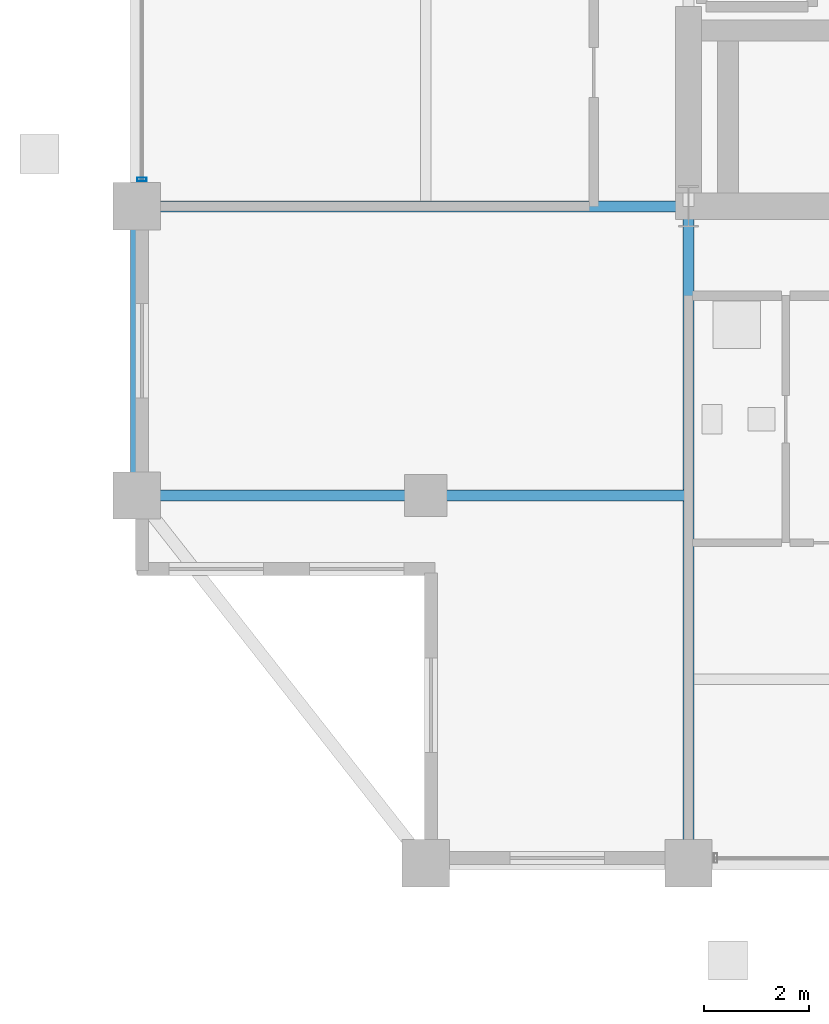
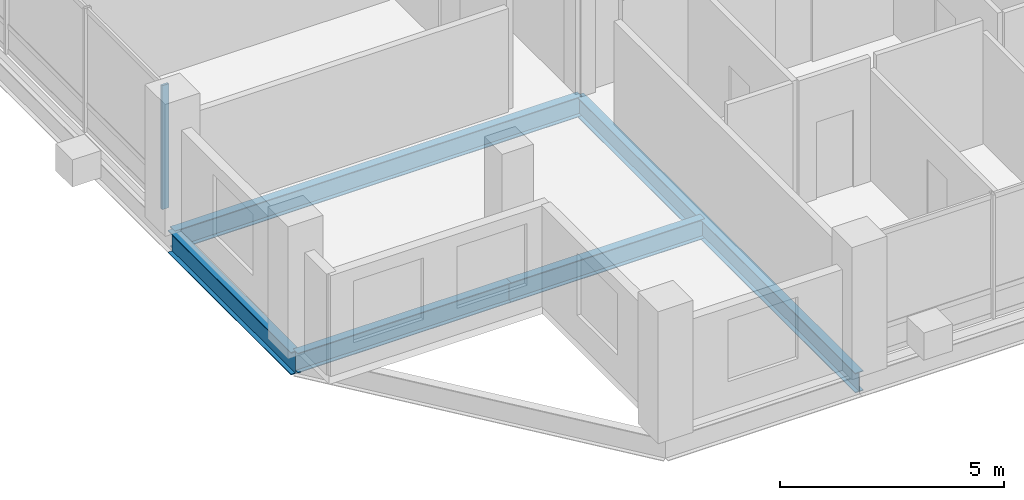
# One storey, part 3 of 21: 5 beams, 1 member, 1 element without a shape of its own.
"""IFC4 building model written with IfcOpenShell, lengths in metres."""

from ifc_helpers import new_model, si_unit, direction, frame, origin, origin_2d, place, context, subcontext, project, spatial, hollow_rectangle, i_section, extrude, material, layer, layer_set, material_profile, profile_set, type_object, element, aggregate, save


model = new_model("IFC4")

# Units and contexts
model_context = context("Model", 3, precision=1e-05, world=origin(), true_north=direction((0.0, 1.0)))
body_context = subcontext(model_context, "Body", "Model", "MODEL_VIEW")
ifc_project = project(units=[si_unit("LENGTHUNIT", "METRE"), si_unit("AREAUNIT", "SQUARE_METRE"), si_unit("VOLUMEUNIT", "CUBIC_METRE"), si_unit("PLANEANGLEUNIT", "RADIAN"), si_unit("MASSUNIT", "GRAM", prefix="KILO")], contexts=[model_context])

# Site, building, storey
site_placement = place(None, origin())
site = spatial("IfcSite", under=ifc_project, at=site_placement, CompositionType="ELEMENT")
building_placement = place(site_placement, origin())
building = spatial("IfcBuilding", under=site, at=building_placement, Name="Barlavira Tower and Art Museum", CompositionType="ELEMENT")
storey_placement = place(building_placement, frame((0.0, 0.0, 233.10009765625)))
storey = spatial("IfcBuildingStorey", under=building, at=storey_placement, Name="L60", CompositionType="ELEMENT", Elevation=233.10009765625)

# Curtain wall, member
ifc_material_1 = material(Name="Low-iron coastal laminated glass", Category="glass")
ifc_layer = layer(ifc_material_1, 0.2099609375, Name="Low-iron coastal laminated glass")
ifc_layer_set = layer_set([ifc_layer], Name="Low-iron coastal laminated glass")
curtain_wall_type = type_object("IfcCurtainWallType", Name="Pale-Metal Unitised Curtain Wall Zone 4", PredefinedType="NOTDEFINED", material=ifc_layer_set)
curtain_wall_placement = place(storey_placement, origin())
curtain_wall = element("IfcCurtainWall", 1, at=curtain_wall_placement, inside=storey, type_object=curtain_wall_type, Name="L60 Curtain Wall CW4-L60-W-B3", PredefinedType="NOTDEFINED")
ifc_material_2 = material(Name="Pale anodised aluminium", Category="aluminium")
ifc_material_profile_1 = material_profile(ifc_material_2, hollow_rectangle(XDim=0.06494140625, YDim=0.179931640625, WallThickness=0.00390625, at=origin_2d()), Name="ALU-MULL 65x180x4")
ifc_profile_set_1 = profile_set([ifc_material_profile_1], Name="Pale anodised aluminium")
member_type = type_object("IfcMemberType", Name="Curtain Wall Pale-Metal Mullion 65x180", PredefinedType="MULLION", material=ifc_profile_set_1)
member_placement = place(storey_placement, frame((-16.89990234375, -6.985107421875, 0.0), z_axis=(0.0, 0.0, 1.0), x_axis=(0.0, -1.0, 0.0)))
member = element("IfcMember", 2, at=member_placement, type_object=member_type, Name="CW4-L60-W-B3 Mullion 4", PredefinedType="MULLION", context=body_context, shape_type="SweptSolid", body=[
    extrude(hollow_rectangle(XDim=0.06494140625, YDim=0.179931640625, WallThickness=0.00390625, at=origin_2d()), origin(), (0.0, 0.0, 1.0), 3.3798828125),
])
aggregate(curtain_wall, [member])

# Beams
ifc_material_3 = material(Name="Steel S355", Category="steel")
ifc_material_profile_2 = material_profile(ifc_material_3, i_section(OverallWidth=0.22998046875, OverallDepth=0.616943359375, WebThickness=0.01318359375, FlangeThickness=0.022216796875, at=origin_2d()), Name="W610x140.0")
ifc_profile_set_2 = profile_set([ifc_material_profile_2], Name="Steel S355")
beam_type_1 = type_object("IfcBeamType", Name="Upper Shaft Spandrel Edge Beam W610x140 Steel S355", PredefinedType="SPANDREL", material=ifc_profile_set_2)
beam_1_placement = place(storey_placement, frame((-17.0, -13.0, -0.528564453125), z_axis=(0.0, 1.0, 0.0), x_axis=(-1.0, 0.0, 0.0)))
element("IfcBeam", 3, at=beam_1_placement, inside=storey, type_object=beam_type_1, Name="L60 Spandrel 15", PredefinedType="SPANDREL", context=body_context, shape_type="SweptSolid", body=[
    extrude(i_section(OverallWidth=0.22998046875, OverallDepth=0.616943359375, WebThickness=0.01318359375, FlangeThickness=0.022216796875, at=origin_2d()), origin(), (0.0, 0.0, 1.0), 5.5),
])
ifc_material_profile_3 = material_profile(ifc_material_3, i_section(OverallWidth=0.2109375, OverallDepth=0.5390625, WebThickness=0.01171875, FlangeThickness=0.018798828125, at=origin_2d()), Name="W530x109.0")
ifc_profile_set_3 = profile_set([ifc_material_profile_3], Name="Steel S355")
beam_type_2 = type_object("IfcBeamType", Name="Zone 3-4 Primary Floor Girder W530x109 Steel S355", PredefinedType="BEAM", material=ifc_profile_set_3)
beam_2_placement = place(storey_placement, frame((-6.5, -20.0, -0.489501953125), z_axis=(0.0, 1.0, 0.0), x_axis=(-1.0, 0.0, 0.0)))
element("IfcBeam", 4, at=beam_2_placement, inside=storey, type_object=beam_type_2, Name="L60 Girder R-S1", PredefinedType="BEAM", context=body_context, shape_type="SweptSolid", body=[
    extrude(i_section(OverallWidth=0.2109375, OverallDepth=0.5390625, WebThickness=0.01171875, FlangeThickness=0.018798828125, at=origin_2d()), origin(), (0.0, 0.0, 1.0), 12.5),
])
beam_3_placement = place(storey_placement, frame((-17.0, -7.5, -0.489501953125), z_axis=(1.0, 0.0, 0.0), x_axis=(0.0, 1.0, 0.0)))
element("IfcBeam", 5, at=beam_3_placement, inside=storey, type_object=beam_type_2, Name="L60 Girder R-W1", PredefinedType="BEAM", context=body_context, shape_type="SweptSolid", body=[
    extrude(i_section(OverallWidth=0.2109375, OverallDepth=0.5390625, WebThickness=0.01171875, FlangeThickness=0.018798828125, at=origin_2d()), origin(), (0.0, 0.0, 1.0), 10.5),
])
beam_4_placement = place(storey_placement, frame((-17.0, -13.0, -0.489501953125), z_axis=(1.0, 0.0, 0.0), x_axis=(0.0, 1.0, 0.0)))
element("IfcBeam", 6, at=beam_4_placement, inside=storey, type_object=beam_type_2, Name="L60 Girder I-S1", PredefinedType="BEAM", context=body_context, shape_type="SweptSolid", body=[
    extrude(i_section(OverallWidth=0.2109375, OverallDepth=0.5390625, WebThickness=0.01171875, FlangeThickness=0.018798828125, at=origin_2d()), origin(), (0.0, 0.0, 1.0), 5.5),
])
beam_5_placement = place(storey_placement, frame((-11.5, -13.0, -0.489501953125), z_axis=(1.0, 0.0, 0.0), x_axis=(0.0, 1.0, 0.0)))
element("IfcBeam", 7, at=beam_5_placement, inside=storey, type_object=beam_type_2, Name="L60 Girder I-S2", PredefinedType="BEAM", context=body_context, shape_type="SweptSolid", body=[
    extrude(i_section(OverallWidth=0.2109375, OverallDepth=0.5390625, WebThickness=0.01171875, FlangeThickness=0.018798828125, at=origin_2d()), origin(), (0.0, 0.0, 1.0), 5.0),
])

save(model, "model.ifc")
